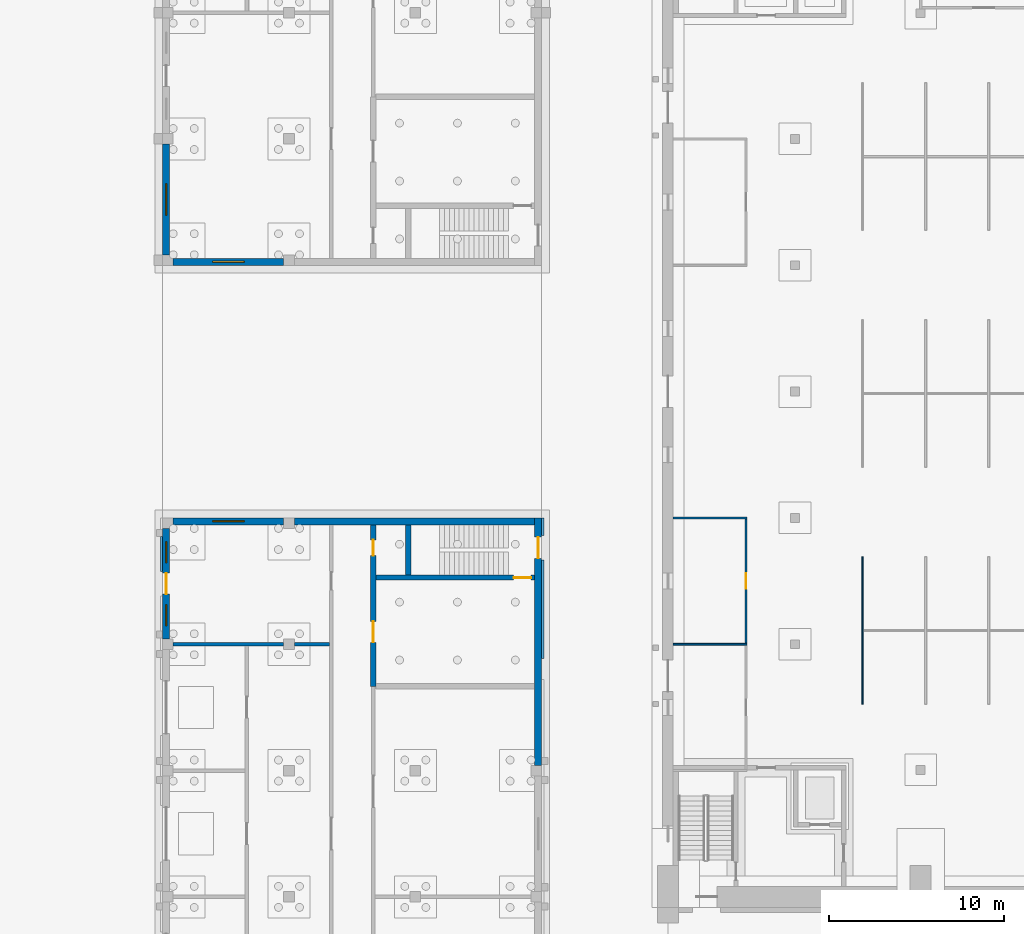
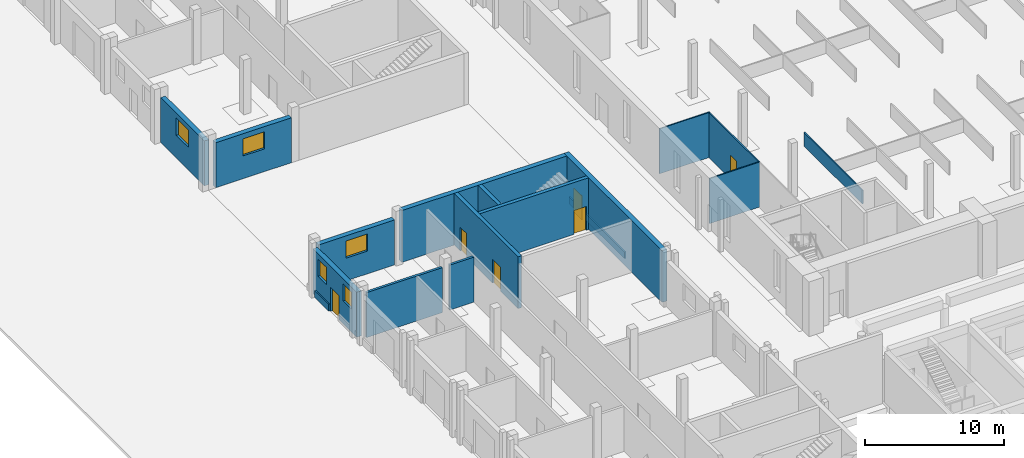
# One storey, part 37 of 73: 18 walls, 6 doors, 5 windows, 11 openings.
"""IFC4 building model written with IfcOpenShell, lengths in metres."""

from ifc_helpers import new_model, si_unit, direction, frame, frame_2d, origin, place, context, subcontext, project, spatial, rectangle, extrude, material, layer, layer_set, type_object, element, fill, save


model = new_model("IFC4")

# Units and contexts
model_context = context("Model", 3, precision=1e-05, world=origin(), true_north=direction((0.0, 1.0)))
body_context = subcontext(model_context, "Body", "Model", "MODEL_VIEW")
ifc_project = project(units=[si_unit("LENGTHUNIT", "METRE"), si_unit("AREAUNIT", "SQUARE_METRE"), si_unit("VOLUMEUNIT", "CUBIC_METRE"), si_unit("PLANEANGLEUNIT", "RADIAN"), si_unit("MASSUNIT", "GRAM", prefix="KILO")], contexts=[model_context])

# Site, building, storey
site_placement = place(None, origin())
site = spatial("IfcSite", under=ifc_project, at=site_placement, CompositionType="ELEMENT")
building_placement = place(site_placement, origin())
building = spatial("IfcBuilding", under=site, at=building_placement, Name="Alderwick Market Hall", CompositionType="ELEMENT")
storey_placement = place(building_placement, origin())
storey = spatial("IfcBuildingStorey", under=building, at=storey_placement, Name="LG", CompositionType="ELEMENT", Elevation=0.0)

# Walls
ifc_material_1 = material(Name="Cast stone 5000 psi", Category="masonry")
ifc_layer_1 = layer(ifc_material_1, 0.1201171875)
ifc_layer_set_1 = layer_set([ifc_layer_1], Name="Cast stone 5000 psi")
wall_type_1 = type_object("IfcWallType", Name="B Cast Stone Base Course 120", PredefinedType="SOLIDWALL", material=ifc_layer_set_1)
wall_1_placement = place(storey_placement, frame((21.5400390625, 68.949951171875, 0.0), z_axis=(0.0, 0.0, 1.0), x_axis=(0.0, 1.0, 0.0)))
element("IfcWall", 1, at=wall_1_placement, inside=storey, type_object=wall_type_1, Name="B.S.base.W.16", PredefinedType="SOLIDWALL", context=body_context, shape_type="SweptSolid", body=[
    extrude(rectangle(XDim=2.0, YDim=0.1201171875, at=frame_2d((1.0, 0.0))), origin(), (0.0, 0.0, 1.0), 0.60009765625),
])
wall_2_placement = place(storey_placement, frame((43.260009765625, 64.0, 0.0), z_axis=(0.0, 0.0, 1.0), x_axis=(0.0, 1.0, 0.0)))
element("IfcWall", 2, at=wall_2_placement, inside=storey, type_object=wall_type_1, Name="B.S.base.E.10", PredefinedType="SOLIDWALL", context=body_context, shape_type="SweptSolid", body=[
    extrude(rectangle(XDim=5.60009765625, YDim=0.1201171875, at=frame_2d((2.800048828125, 0.0))), origin(), (0.0, 0.0, 1.0), 0.60009765625),
])
wall_3_placement = place(storey_placement, frame((43.260009765625, 71.0, 0.0), z_axis=(0.0, 0.0, 1.0), x_axis=(0.0, 1.0, 0.0)))
element("IfcWall", 3, at=wall_3_placement, inside=storey, type_object=wall_type_1, Name="B.S.base.E.11", PredefinedType="SOLIDWALL", context=body_context, shape_type="SweptSolid", body=[
    extrude(rectangle(XDim=1.0, YDim=0.1201171875, at=frame_2d((0.5, 0.0))), origin(), (0.0, 0.0, 1.0), 0.60009765625),
])

# Wall, opening, window
ifc_layer_2 = layer(ifc_material_1, 0.39990234375)
ifc_layer_set_2 = layer_set([ifc_layer_2], Name="Cast stone 5000 psi")
wall_type_2 = type_object("IfcWallType", Name="B Cast Stone Base Wall 400", PredefinedType="SOLIDWALL", material=ifc_layer_set_2)
wall_4_placement = place(storey_placement, frame((22.199951171875, 86.60009765625, 0.0), z_axis=(0.0, 0.0, 1.0), x_axis=(1.0, 0.0, 0.0)))
wall_4 = element("IfcWall", 4, at=wall_4_placement, inside=storey, type_object=wall_type_2, Name="B.N.wall.LG.000", PredefinedType="SOLIDWALL", context=body_context, shape_type="SweptSolid", body=[
    extrude(rectangle(XDim=6.300048828125, YDim=0.39990234375, at=frame_2d((3.14990234375, 0.0))), origin(), (0.0, 0.0, 1.0), 3.949951171875),
])
opening_1_placement = place(wall_4_placement, frame((2.25, 0.0, 2.0)))
opening_1 = element("IfcOpeningElement", 5, at=opening_1_placement, cuts=wall_4, Name="Opening B-W001", PredefinedType="OPENING", context=body_context, shape_type="SweptSolid", body=[
    extrude(rectangle(XDim=1.800048828125, YDim=1.5, at=frame_2d((0.89990234375, 0.75))), frame((0.0, 0.2099609375, 0.0), z_axis=(0.0, -1.0, 0.0), x_axis=(1.0, 0.0, 0.0)), (0.0, 0.0, 1.0), 0.419921875),
])
ifc_material_2 = material(Name="Aluminium frame", Category="aluminium")
window_type_1 = type_object("IfcWindowType", Name="B Window 1800x1500", PartitioningType="SINGLE_PANEL", PredefinedType="WINDOW", material=ifc_material_2)
window_1_placement = place(opening_1_placement, origin())
window_1 = element("IfcWindow", 6, at=window_1_placement, inside=storey, type_object=window_type_1, Name="Window B-W001", OverallHeight=1.5, OverallWidth=1.800048828125, PartitioningType="SINGLE_PANEL", PredefinedType="WINDOW", context=body_context, shape_type="SweptSolid", body=[
    extrude(rectangle(XDim=1.800048828125, YDim=1.5, at=frame_2d((0.89990234375, 0.75))), frame((0.0, 0.030029296875, 0.0), z_axis=(0.0, -1.0, 0.0), x_axis=(1.0, 0.0, 0.0)), (0.0, 0.0, 1.0), 0.06005859375),
])
fill(opening_1, window_1)

wall_5_placement = place(storey_placement, frame((21.800048828125, 87.0, 0.0), z_axis=(0.0, 0.0, 1.0), x_axis=(0.0, 1.0, 0.0)))
wall_5 = element("IfcWall", 7, at=wall_5_placement, inside=storey, type_object=wall_type_2, Name="B.N.wall.LG.017", PredefinedType="SOLIDWALL", context=body_context, shape_type="SweptSolid", body=[
    extrude(rectangle(XDim=6.300048828125, YDim=0.39990234375, at=frame_2d((3.14990234375, 0.0))), origin(), (0.0, 0.0, 1.0), 3.949951171875),
])
opening_2_placement = place(wall_5_placement, frame((2.25, 0.0, 2.0)))
opening_2 = element("IfcOpeningElement", 8, at=opening_2_placement, cuts=wall_5, Name="Opening B-W003", PredefinedType="OPENING", context=body_context, shape_type="SweptSolid", body=[
    extrude(rectangle(XDim=1.800048828125, YDim=1.5, at=frame_2d((0.89990234375, 0.75))), frame((0.0, 0.2099609375, 0.0), z_axis=(0.0, -1.0, 0.0), x_axis=(1.0, 0.0, 0.0)), (0.0, 0.0, 1.0), 0.419921875),
])
window_2_placement = place(opening_2_placement, origin())
window_2 = element("IfcWindow", 9, at=window_2_placement, inside=storey, type_object=window_type_1, Name="Window B-W003", OverallHeight=1.5, OverallWidth=1.800048828125, PartitioningType="SINGLE_PANEL", PredefinedType="WINDOW", context=body_context, shape_type="SweptSolid", body=[
    extrude(rectangle(XDim=1.800048828125, YDim=1.5, at=frame_2d((0.89990234375, 0.75))), frame((0.0, 0.030029296875, 0.0), z_axis=(0.0, -1.0, 0.0), x_axis=(1.0, 0.0, 0.0)), (0.0, 0.0, 1.0), 0.06005859375),
])
fill(opening_2, window_2)

wall_6_placement = place(storey_placement, frame((22.199951171875, 71.800048828125, 0.0), z_axis=(0.0, 0.0, 1.0), x_axis=(1.0, 0.0, 0.0)))
wall_6 = element("IfcWall", 10, at=wall_6_placement, inside=storey, type_object=wall_type_2, Name="B.S.wall.LG.015", PredefinedType="SOLIDWALL", context=body_context, shape_type="SweptSolid", body=[
    extrude(rectangle(XDim=6.300048828125, YDim=0.39990234375, at=frame_2d((3.14990234375, 0.0))), origin(), (0.0, 0.0, 1.0), 3.949951171875),
])
opening_3_placement = place(wall_6_placement, frame((2.25, 0.0, 2.0)))
opening_3 = element("IfcOpeningElement", 11, at=opening_3_placement, cuts=wall_6, Name="Opening B-W066", PredefinedType="OPENING", context=body_context, shape_type="SweptSolid", body=[
    extrude(rectangle(XDim=1.800048828125, YDim=1.5, at=frame_2d((0.89990234375, 0.75))), frame((0.0, 0.2099609375, 0.0), z_axis=(0.0, -1.0, 0.0), x_axis=(1.0, 0.0, 0.0)), (0.0, 0.0, 1.0), 0.419921875),
])
window_3_placement = place(opening_3_placement, origin())
window_3 = element("IfcWindow", 12, at=window_3_placement, inside=storey, type_object=window_type_1, Name="Window B-W066", OverallHeight=1.5, OverallWidth=1.800048828125, PartitioningType="SINGLE_PANEL", PredefinedType="WINDOW", context=body_context, shape_type="SweptSolid", body=[
    extrude(rectangle(XDim=1.800048828125, YDim=1.5, at=frame_2d((0.89990234375, 0.75))), frame((0.0, 0.030029296875, 0.0), z_axis=(0.0, -1.0, 0.0), x_axis=(1.0, 0.0, 0.0)), (0.0, 0.0, 1.0), 0.06005859375),
])
fill(opening_3, window_3)

# Wall, openings, door, windows
wall_7_placement = place(storey_placement, frame((21.800048828125, 65.10009765625, 0.0), z_axis=(0.0, 0.0, 1.0), x_axis=(0.0, 1.0, 0.0)))
wall_7 = element("IfcWall", 13, at=wall_7_placement, inside=storey, type_object=wall_type_2, Name="B.S.wall.LG.022", PredefinedType="SOLIDWALL", context=body_context, shape_type="SweptSolid", body=[
    extrude(rectangle(XDim=6.2998046875, YDim=0.39990234375, at=frame_2d((3.14990234375, 0.0))), origin(), (0.0, 0.0, 1.0), 3.949951171875),
])
opening_4_placement = place(wall_7_placement, frame((2.550048828125, 0.0, 0.0)))
opening_4 = element("IfcOpeningElement", 14, at=opening_4_placement, cuts=wall_7, Name="Opening B-D014", PredefinedType="OPENING", context=body_context, shape_type="SweptSolid", body=[
    extrude(rectangle(XDim=1.199951171875, YDim=2.10009765625, at=frame_2d((0.60009765625, 1.050048828125))), frame((0.0, 0.2099609375, 0.0), z_axis=(0.0, -1.0, 0.0), x_axis=(1.0, 0.0, 0.0)), (0.0, 0.0, 1.0), 0.419921875),
])
opening_5_placement = place(wall_7_placement, frame((0.75, 0.0, 2.0)))
opening_5 = element("IfcOpeningElement", 15, at=opening_5_placement, cuts=wall_7, Name="Opening B-W070", PredefinedType="OPENING", context=body_context, shape_type="SweptSolid", body=[
    extrude(rectangle(XDim=1.199951171875, YDim=1.5, at=frame_2d((0.60009765625, 0.75))), frame((0.0, 0.2099609375, 0.0), z_axis=(0.0, -1.0, 0.0), x_axis=(1.0, 0.0, 0.0)), (0.0, 0.0, 1.0), 0.419921875),
])
opening_6_placement = place(wall_7_placement, frame((4.35009765625, 0.0, 2.0)))
opening_6 = element("IfcOpeningElement", 16, at=opening_6_placement, cuts=wall_7, Name="Opening B-W071", PredefinedType="OPENING", context=body_context, shape_type="SweptSolid", body=[
    extrude(rectangle(XDim=1.199951171875, YDim=1.5, at=frame_2d((0.60009765625, 0.75))), frame((0.0, 0.2099609375, 0.0), z_axis=(0.0, -1.0, 0.0), x_axis=(1.0, 0.0, 0.0)), (0.0, 0.0, 1.0), 0.419921875),
])
ifc_material_3 = material(Name="Hollow metal door and frame")
door_type_1 = type_object("IfcDoorType", Name="B Door 1200x2100", OperationType="SINGLE_SWING_LEFT", PredefinedType="DOOR", material=ifc_material_3)
door_1_placement = place(opening_4_placement, origin())
door_1 = element("IfcDoor", 17, at=door_1_placement, inside=storey, type_object=door_type_1, Name="Waste room door", OperationType="SINGLE_SWING_RIGHT", OverallHeight=2.10009765625, OverallWidth=1.199951171875, PredefinedType="DOOR", context=body_context, shape_type="SweptSolid", body=[
    extrude(rectangle(XDim=1.199951171875, YDim=2.10009765625, at=frame_2d((0.60009765625, 1.050048828125))), frame((0.0, 0.02490234375, 0.0), z_axis=(0.0, -1.0, 0.0), x_axis=(1.0, 0.0, 0.0)), (0.0, 0.0, 1.0), 0.050048828125),
])
fill(opening_4, door_1)
window_type_2 = type_object("IfcWindowType", Name="B Window 1200x1500", PartitioningType="SINGLE_PANEL", PredefinedType="WINDOW", material=ifc_material_2)
window_4_placement = place(opening_5_placement, origin())
window_4 = element("IfcWindow", 18, at=window_4_placement, inside=storey, type_object=window_type_2, Name="Window B-W070", OverallHeight=1.5, OverallWidth=1.199951171875, PartitioningType="SINGLE_PANEL", PredefinedType="WINDOW", context=body_context, shape_type="SweptSolid", body=[
    extrude(rectangle(XDim=1.199951171875, YDim=1.5, at=frame_2d((0.60009765625, 0.75))), frame((0.0, 0.030029296875, 0.0), z_axis=(0.0, -1.0, 0.0), x_axis=(1.0, 0.0, 0.0)), (0.0, 0.0, 1.0), 0.06005859375),
])
fill(opening_5, window_4)
window_5_placement = place(opening_6_placement, origin())
window_5 = element("IfcWindow", 19, at=window_5_placement, inside=storey, type_object=window_type_2, Name="Window B-W071", OverallHeight=1.5, OverallWidth=1.199951171875, PartitioningType="SINGLE_PANEL", PredefinedType="WINDOW", context=body_context, shape_type="SweptSolid", body=[
    extrude(rectangle(XDim=1.199951171875, YDim=1.5, at=frame_2d((0.60009765625, 0.75))), frame((0.0, 0.030029296875, 0.0), z_axis=(0.0, -1.0, 0.0), x_axis=(1.0, 0.0, 0.0)), (0.0, 0.0, 1.0), 0.06005859375),
])
fill(opening_6, window_5)

# Walls
ifc_material_4 = material(Name="Concrete masonry 3000 psi", Category="masonry")
ifc_layer_3 = layer(ifc_material_4, 0.199951171875)
ifc_layer_set_3 = layer_set([ifc_layer_3], Name="Concrete masonry 3000 psi")
wall_type_3 = type_object("IfcWallType", Name="B Masonry Partition 200", PredefinedType="PARTITIONING", material=ifc_layer_set_3)
wall_8_placement = place(storey_placement, frame((22.199951171875, 64.800048828125, 0.0), z_axis=(0.0, 0.0, 1.0), x_axis=(1.0, 0.0, 0.0)))
element("IfcWall", 20, at=wall_8_placement, inside=storey, type_object=wall_type_3, Name="B.S.wall.LG.012", PredefinedType="PARTITIONING", context=body_context, shape_type="SweptSolid", body=[
    extrude(rectangle(XDim=6.300048828125, YDim=0.199951171875, at=frame_2d((3.14990234375, 0.0))), origin(), (0.0, 0.0, 1.0), 3.949951171875),
])
wall_9_placement = place(storey_placement, frame((29.10009765625, 64.800048828125, 0.0), z_axis=(0.0, 0.0, 1.0), x_axis=(1.0, 0.0, 0.0)))
element("IfcWall", 21, at=wall_9_placement, inside=storey, type_object=wall_type_3, Name="B.S.wall.LG.013", PredefinedType="PARTITIONING", context=body_context, shape_type="SweptSolid", body=[
    extrude(rectangle(XDim=2.0, YDim=0.199951171875, at=frame_2d((1.0, 0.0))), origin(), (0.0, 0.0, 1.0), 3.949951171875),
])
ifc_material_5 = material(Name="Concrete 5000 psi (f'c 35 MPa)", Category="concrete")
ifc_layer_4 = layer(ifc_material_5, 0.39990234375)
ifc_layer_set_4 = layer_set([ifc_layer_4], Name="Concrete 5000 psi (f'c 35 MPa)")
wall_type_4 = type_object("IfcWallType", Name="B RC Core Facade Wall 400", PredefinedType="SHEAR", material=ifc_layer_set_4)
wall_10_placement = place(storey_placement, frame((29.10009765625, 71.800048828125, 0.0), z_axis=(0.0, 0.0, 1.0), x_axis=(1.0, 0.0, 0.0)))
element("IfcWall", 22, at=wall_10_placement, inside=storey, type_object=wall_type_4, Name="B.S.wall.LG.016", PredefinedType="SHEAR", context=body_context, shape_type="SweptSolid", body=[
    extrude(rectangle(XDim=13.699951171875, YDim=0.39990234375, at=frame_2d((6.85009765625, 0.0))), origin(), (0.0, 0.0, 1.0), 4.550048828125),
])

# Wall, opening, door
wall_11_placement = place(storey_placement, frame((43.0, 57.89990234375, 0.0), z_axis=(0.0, 0.0, 1.0), x_axis=(0.0, 1.0, 0.0)))
wall_11 = element("IfcWall", 23, at=wall_11_placement, inside=storey, type_object=wall_type_4, Name="B.S.wall.LG.034", PredefinedType="SHEAR", context=body_context, shape_type="SweptSolid", body=[
    extrude(rectangle(XDim=14.10009765625, YDim=0.39990234375, at=frame_2d((7.050048828125, 0.0))), origin(), (0.0, 0.0, 1.0), 4.550048828125),
])
opening_7_placement = place(wall_11_placement, frame((13.0, 0.0, 0.0), z_axis=(0.0, 0.0, 1.0), x_axis=(-1.0, 0.0, 0.0)))
opening_7 = element("IfcOpeningElement", 24, at=opening_7_placement, cuts=wall_11, Name="Opening B-D016", PredefinedType="OPENING", context=body_context, shape_type="SweptSolid", body=[
    extrude(rectangle(XDim=1.199951171875, YDim=2.10009765625, at=frame_2d((0.60009765625, 1.050048828125))), frame((0.0, 0.2099609375, 0.0), z_axis=(0.0, -1.0, 0.0), x_axis=(1.0, 0.0, 0.0)), (0.0, 0.0, 1.0), 0.419921875),
])
ifc_material_6 = material(Name="Hollow metal fire door and frame")
door_type_2 = type_object("IfcDoorType", Name="B Fire Door 1200x2100", OperationType="SINGLE_SWING_LEFT", PredefinedType="DOOR", material=ifc_material_6)
door_2_placement = place(opening_7_placement, origin())
door_2 = element("IfcDoor", 25, at=door_2_placement, inside=storey, type_object=door_type_2, Name="Stair S-2 exit door", OperationType="SINGLE_SWING_RIGHT", OverallHeight=2.10009765625, OverallWidth=1.199951171875, PredefinedType="DOOR", context=body_context, shape_type="SweptSolid", body=[
    extrude(rectangle(XDim=1.199951171875, YDim=2.10009765625, at=frame_2d((0.60009765625, 1.050048828125))), frame((0.0, 0.02490234375, 0.0), z_axis=(0.0, -1.0, 0.0), x_axis=(1.0, 0.0, 0.0)), (0.0, 0.0, 1.0), 0.050048828125),
])
fill(opening_7, door_2)

ifc_layer_5 = layer(ifc_material_5, 0.300048828125)
ifc_layer_set_5 = layer_set([ifc_layer_5], Name="Concrete 5000 psi (f'c 35 MPa)")
wall_type_5 = type_object("IfcWallType", Name="B RC Core Wall 300", PredefinedType="SHEAR", material=ifc_layer_set_5)
wall_12_placement = place(storey_placement, frame((33.75, 68.60009765625, 0.0), z_axis=(0.0, 0.0, 1.0), x_axis=(1.0, 0.0, 0.0)))
wall_12 = element("IfcWall", 26, at=wall_12_placement, inside=storey, type_object=wall_type_5, Name="B.S.wall.LG.014", PredefinedType="SHEAR", context=body_context, shape_type="SweptSolid", body=[
    extrude(rectangle(XDim=9.050048828125, YDim=0.300048828125, at=frame_2d((4.52490234375, 0.0))), origin(), (0.0, 0.0, 1.0), 4.550048828125),
])
opening_8_placement = place(wall_12_placement, frame((7.85009765625, 0.0, 0.0)))
opening_8 = element("IfcOpeningElement", 27, at=opening_8_placement, cuts=wall_12, Name="Opening B-D095", PredefinedType="OPENING", context=body_context, shape_type="SweptSolid", body=[
    extrude(rectangle(XDim=1.0, YDim=2.10009765625, at=frame_2d((0.5, 1.050048828125))), frame((0.0, 0.159912109375, 0.0), z_axis=(0.0, -1.0, 0.0), x_axis=(1.0, 0.0, 0.0)), (0.0, 0.0, 1.0), 0.320068359375),
])
door_type_3 = type_object("IfcDoorType", Name="B Fire Door 1000x2100", OperationType="SINGLE_SWING_LEFT", PredefinedType="DOOR", material=ifc_material_6)
door_3_placement = place(opening_8_placement, origin())
door_3 = element("IfcDoor", 28, at=door_3_placement, inside=storey, type_object=door_type_3, Name="Stair S-2 lobby door", OperationType="SINGLE_SWING_LEFT", OverallHeight=2.10009765625, OverallWidth=1.0, PredefinedType="DOOR", context=body_context, shape_type="SweptSolid", body=[
    extrude(rectangle(XDim=1.0, YDim=2.10009765625, at=frame_2d((0.5, 1.050048828125))), frame((0.0, 0.02490234375, 0.0), z_axis=(0.0, -1.0, 0.0), x_axis=(1.0, 0.0, 0.0)), (0.0, 0.0, 1.0), 0.050048828125),
])
fill(opening_8, door_3)

# Wall, openings, doors
wall_13_placement = place(storey_placement, frame((33.60009765625, 62.39990234375, 0.0), z_axis=(0.0, 0.0, 1.0), x_axis=(0.0, 1.0, 0.0)))
wall_13 = element("IfcWall", 29, at=wall_13_placement, inside=storey, type_object=wall_type_5, Name="B.S.wall.LG.027", PredefinedType="SHEAR", context=body_context, shape_type="SweptSolid", body=[
    extrude(rectangle(XDim=9.2001953125, YDim=0.300048828125, at=frame_2d((4.60009765625, 0.0))), origin(), (0.0, 0.0, 1.0), 4.550048828125),
])
opening_9_placement = place(wall_13_placement, frame((2.5, 0.0, 0.0)))
opening_9 = element("IfcOpeningElement", 30, at=opening_9_placement, cuts=wall_13, Name="Opening B-D096", PredefinedType="OPENING", context=body_context, shape_type="SweptSolid", body=[
    extrude(rectangle(XDim=1.199951171875, YDim=2.10009765625, at=frame_2d((0.60009765625, 1.050048828125))), frame((0.0, 0.159912109375, 0.0), z_axis=(0.0, -1.0, 0.0), x_axis=(1.0, 0.0, 0.0)), (0.0, 0.0, 1.0), 0.320068359375),
])
opening_10_placement = place(wall_13_placement, frame((7.449951171875, 0.0, 0.0)))
opening_10 = element("IfcOpeningElement", 31, at=opening_10_placement, cuts=wall_13, Name="Opening B-D097", PredefinedType="OPENING", context=body_context, shape_type="SweptSolid", body=[
    extrude(rectangle(XDim=0.89990234375, YDim=2.10009765625, at=frame_2d((0.449951171875, 1.050048828125))), frame((0.0, 0.159912109375, 0.0), z_axis=(0.0, -1.0, 0.0), x_axis=(1.0, 0.0, 0.0)), (0.0, 0.0, 1.0), 0.320068359375),
])
door_4_placement = place(opening_9_placement, origin())
door_4 = element("IfcDoor", 32, at=door_4_placement, inside=storey, type_object=door_type_2, Name="Lobby S-2 corridor door", OperationType="SINGLE_SWING_RIGHT", OverallHeight=2.10009765625, OverallWidth=1.199951171875, PredefinedType="DOOR", context=body_context, shape_type="SweptSolid", body=[
    extrude(rectangle(XDim=1.199951171875, YDim=2.10009765625, at=frame_2d((0.60009765625, 1.050048828125))), frame((0.0, 0.02490234375, 0.0), z_axis=(0.0, -1.0, 0.0), x_axis=(1.0, 0.0, 0.0)), (0.0, 0.0, 1.0), 0.050048828125),
])
fill(opening_9, door_4)
door_type_4 = type_object("IfcDoorType", Name="B Fire Door 900x2100", OperationType="SINGLE_SWING_LEFT", PredefinedType="DOOR", material=ifc_material_6)
door_5_placement = place(opening_10_placement, origin())
door_5 = element("IfcDoor", 33, at=door_5_placement, inside=storey, type_object=door_type_4, Name="Riser S-2 access door", OperationType="SINGLE_SWING_LEFT", OverallHeight=2.10009765625, OverallWidth=0.89990234375, PredefinedType="DOOR", context=body_context, shape_type="SweptSolid", body=[
    extrude(rectangle(XDim=0.89990234375, YDim=2.10009765625, at=frame_2d((0.449951171875, 1.050048828125))), frame((0.0, 0.02490234375, 0.0), z_axis=(0.0, -1.0, 0.0), x_axis=(1.0, 0.0, 0.0)), (0.0, 0.0, 1.0), 0.050048828125),
])
fill(opening_10, door_5)

# Walls
wall_14_placement = place(storey_placement, frame((35.60009765625, 68.75, 0.0), z_axis=(0.0, 0.0, 1.0), x_axis=(0.0, 1.0, 0.0)))
element("IfcWall", 34, at=wall_14_placement, inside=storey, type_object=wall_type_5, Name="B.S.wall.LG.029", PredefinedType="SHEAR", context=body_context, shape_type="SweptSolid", body=[
    extrude(rectangle(XDim=2.85009765625, YDim=0.300048828125, at=frame_2d((1.425048828125, 0.0))), origin(), (0.0, 0.0, 1.0), 4.550048828125),
])
ifc_material_7 = material(Name="Gypsum board partition")
ifc_layer_6 = layer(ifc_material_7, 0.10009765625)
ifc_layer_set_6 = layer_set([ifc_layer_6], Name="Gypsum board partition")
wall_type_6 = type_object("IfcWallType", Name="H Partition 100", PredefinedType="PARTITIONING", material=ifc_layer_set_6)
for number, where, z_axis, x_axis, name in (
    (35, (50.699951171875, 64.800048828125, 0.0), (0.0, 0.0, 1.0), (1.0, 0.0, 0.0), "Partition"),
    (36, (50.699951171875, 72.0, 0.0), (0.0, 0.0, 1.0), (1.0, 0.0, 0.0), "Partition"),
):
    element("IfcWall", number, at=place(storey_placement, frame(where, z_axis=z_axis, x_axis=x_axis)), inside=storey, type_object=wall_type_6, Name=name, PredefinedType="PARTITIONING", context=body_context, shape_type="SweptSolid", body=[
        extrude(rectangle(XDim=4.199951171875, YDim=0.10009765625, at=frame_2d((2.10009765625, 0.0))), origin(), (0.0, 0.0, 1.0), 3.949951171875),
    ])

# Wall, opening, door
wall_15_placement = place(storey_placement, frame((54.85009765625, 64.85009765625, 0.0), z_axis=(0.0, 0.0, 1.0), x_axis=(0.0, 1.0, 0.0)))
wall_15 = element("IfcWall", 37, at=wall_15_placement, inside=storey, type_object=wall_type_6, Name="Partition", PredefinedType="PARTITIONING", context=body_context, shape_type="SweptSolid", body=[
    extrude(rectangle(XDim=7.099853515625, YDim=0.10009765625, at=frame_2d((3.5498046875, 0.0))), origin(), (0.0, 0.0, 1.0), 3.949951171875),
])
opening_11_placement = place(wall_15_placement, frame((3.10009765625, 0.0, 0.0)))
opening_11 = element("IfcOpeningElement", 38, at=opening_11_placement, cuts=wall_15, Name="Opening H-D058", PredefinedType="OPENING", context=body_context, shape_type="SweptSolid", body=[
    extrude(rectangle(XDim=0.89990234375, YDim=2.10009765625, at=frame_2d((0.449951171875, 1.050048828125))), frame((0.0, 0.06005859375, 0.0), z_axis=(0.0, -1.0, 0.0), x_axis=(1.0, 0.0, 0.0)), (0.0, 0.0, 1.0), 0.1201171875),
])
ifc_material_8 = material(Name="Timber, solid core", Category="wood")
door_type_5 = type_object("IfcDoorType", Name="H WC door 900x2100", OperationType="SINGLE_SWING_LEFT", PredefinedType="DOOR", material=ifc_material_8)
door_6_placement = place(opening_11_placement, origin())
door_6 = element("IfcDoor", 39, at=door_6_placement, inside=storey, type_object=door_type_5, Name="Door H-D058", OperationType="SINGLE_SWING_LEFT", OverallHeight=2.10009765625, OverallWidth=0.89990234375, PredefinedType="DOOR", context=body_context, shape_type="SweptSolid", body=[
    extrude(rectangle(XDim=0.89990234375, YDim=2.10009765625, at=frame_2d((0.449951171875, 1.050048828125))), frame((0.0, 0.02490234375, 0.0), z_axis=(0.0, -1.0, 0.0), x_axis=(1.0, 0.0, 0.0)), (0.0, 0.0, 1.0), 0.050048828125),
])
fill(opening_11, door_6)

# Wall
ifc_material_9 = material(Name="Face brick", Category="masonry")
ifc_layer_7 = layer(ifc_material_9, 0.10009765625)
ifc_layer_set_7 = layer_set([ifc_layer_7], Name="Face brick")
wall_type_7 = type_object("IfcWallType", Name="H Stall counter 100", PredefinedType="PARTITIONING", material=ifc_layer_set_7)
wall_16_placement = place(storey_placement, frame((61.489990234375, 61.389892578125, 0.0), z_axis=(0.0, 0.0, 1.0), x_axis=(0.0, 1.0, 0.0)))
element("IfcWall", 40, at=wall_16_placement, inside=storey, type_object=wall_type_7, Name="Stall counter", PredefinedType="PARTITIONING", context=body_context, shape_type="SweptSolid", body=[
    extrude(rectangle(XDim=8.400146484375, YDim=0.10009765625, at=frame_2d((4.2001953125, 0.0))), origin(), (0.0, 0.0, 1.0), 1.199951171875),
])

save(model, "model.ifc")
